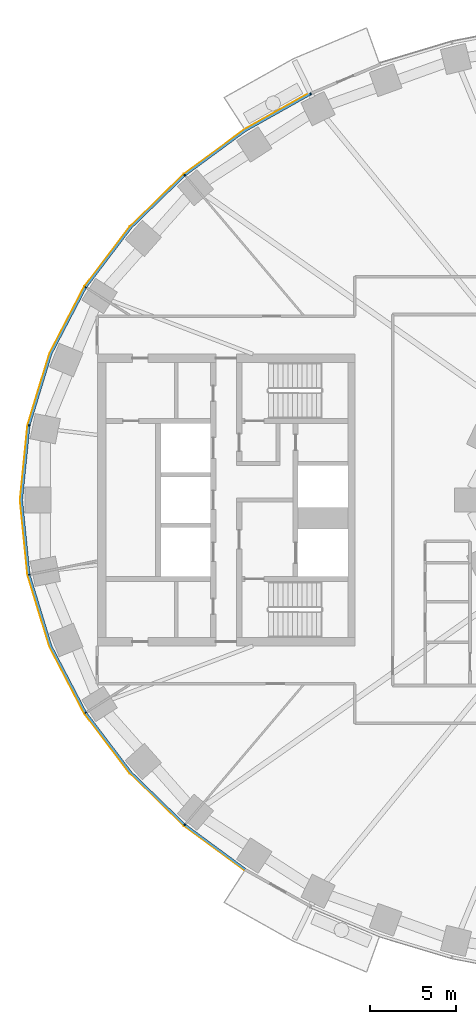
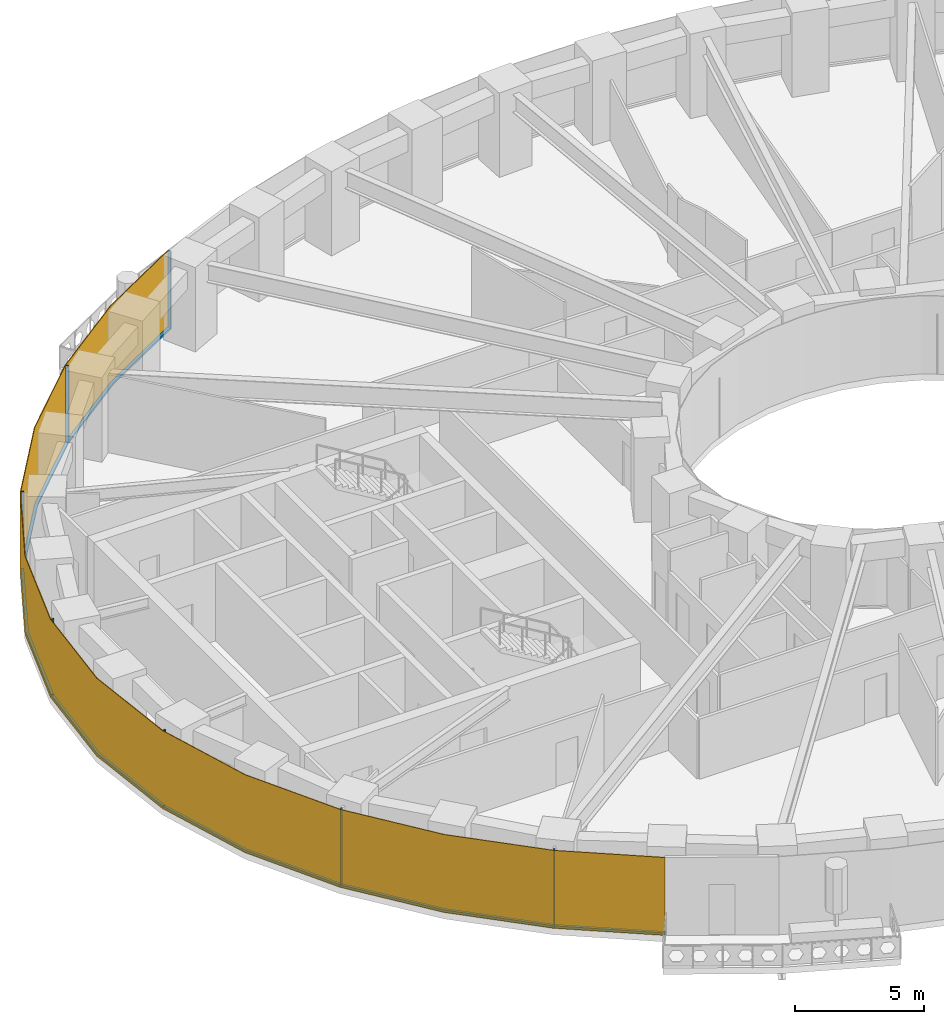
# One storey, part 8 of 15: 14 members, 1 curtain wall.
"""IFC4 building model written with IfcOpenShell, lengths in metres."""

from ifc_helpers import new_model, si_unit, direction, frame, origin, origin_2d, place, context, subcontext, project, spatial, polyline, rectangle, outline, extrude, material, layer, layer_set, material_profile, profile_set, type_object, element, aggregate, save


model = new_model("IFC4")

# Units and contexts
model_context = context("Model", 3, precision=1e-05, world=origin(), true_north=direction((0.0, 1.0)))
body_context = subcontext(model_context, "Body", "Model", "MODEL_VIEW")
ifc_project = project(units=[si_unit("LENGTHUNIT", "METRE"), si_unit("AREAUNIT", "SQUARE_METRE"), si_unit("VOLUMEUNIT", "CUBIC_METRE"), si_unit("PLANEANGLEUNIT", "RADIAN"), si_unit("MASSUNIT", "GRAM", prefix="KILO")], contexts=[model_context])

# Member
ifc_material_1 = material(Name="Aluminium 6063-T6 black anodised", Category="aluminium")
ifc_material_profile = material_profile(ifc_material_1, rectangle(XDim=0.1201171875, YDim=0.06005859375, at=origin_2d()), Name="120x60")
ifc_profile_set = profile_set([ifc_material_profile], Name="Aluminium 6063-T6 black anodised")
member_type_1 = type_object("IfcMemberType", Name="ENV-MULLION-A-120", PredefinedType="MULLION", material=ifc_profile_set)
site_placement = place(None, origin())
building_placement = place(site_placement, origin())
storey_placement = place(building_placement, frame((0.0, 0.0, 38.5)))
member_1_placement = place(storey_placement, frame((-19.06787109375, 23.6474609375, 0.0), z_axis=(0.0, 0.0, 1.0), x_axis=(0.439237769837, -0.898370848563, 0.0)))
member_1 = element("IfcMember", 1, at=member_1_placement, type_object=member_type_1, Name="Mullion A radial 17", PredefinedType="MULLION", context=body_context, shape_type="SweptSolid", body=[
    extrude(rectangle(XDim=0.1201171875, YDim=0.06005859375, at=origin_2d()), origin(), (0.0, 0.0, 1.0), 3.699951171875),
])

member_2_placement = place(storey_placement, frame((-26.403564453125, 18.9130859375, 0.0), z_axis=(0.0, 0.0, 1.0), x_axis=(0.646451313783, -0.762955240435, 0.0)))
member_2 = element("IfcMember", 2, at=member_2_placement, type_object=member_type_1, Name="Mullion A radial 19", PredefinedType="MULLION", context=body_context, shape_type="SweptSolid", body=[
    extrude(rectangle(XDim=0.1201171875, YDim=0.06005859375, at=origin_2d()), origin(), (0.0, 0.0, 1.0), 3.699951171875),
])

member_3_placement = place(storey_placement, frame((-32.177490234375, 12.385498046875, 0.0), z_axis=(0.0, 0.0, 1.0), x_axis=(0.844829880882, -0.53503501976, 0.0)))
member_3 = element("IfcMember", 3, at=member_3_placement, type_object=member_type_1, Name="Mullion A radial 21", PredefinedType="MULLION", context=body_context, shape_type="SweptSolid", body=[
    extrude(rectangle(XDim=0.1201171875, YDim=0.06005859375, at=origin_2d()), origin(), (0.0, 0.0, 1.0), 3.699951171875),
])

member_4_placement = place(storey_placement, frame((-35.470947265625, 4.340576171875, 0.0), z_axis=(0.0, 0.0, 1.0), x_axis=(0.980379083141, -0.19712141776, 0.0)))
member_4 = element("IfcMember", 4, at=member_4_placement, type_object=member_type_1, Name="Mullion A radial 23", PredefinedType="MULLION", context=body_context, shape_type="SweptSolid", body=[
    extrude(rectangle(XDim=0.1201171875, YDim=0.06005859375, at=origin_2d()), origin(), (0.0, 0.0, 1.0), 3.699951171875),
])

member_5_placement = place(storey_placement, frame((-35.470947265625, -4.340576171875, 0.0), z_axis=(0.0, 0.0, 1.0), x_axis=(0.980379083141, 0.19712141776, 0.0)))
member_5 = element("IfcMember", 5, at=member_5_placement, type_object=member_type_1, Name="Mullion A radial 25", PredefinedType="MULLION", context=body_context, shape_type="SweptSolid", body=[
    extrude(rectangle(XDim=0.1201171875, YDim=0.06005859375, at=origin_2d()), origin(), (0.0, 0.0, 1.0), 3.699951171875),
])

member_6_placement = place(storey_placement, frame((-32.177490234375, -12.385498046875, 0.0), z_axis=(0.0, 0.0, 1.0), x_axis=(0.844829880882, 0.53503501976, 0.0)))
member_6 = element("IfcMember", 6, at=member_6_placement, type_object=member_type_1, Name="Mullion A radial 27", PredefinedType="MULLION", context=body_context, shape_type="SweptSolid", body=[
    extrude(rectangle(XDim=0.1201171875, YDim=0.06005859375, at=origin_2d()), origin(), (0.0, 0.0, 1.0), 3.699951171875),
])

member_7_placement = place(storey_placement, frame((-26.403564453125, -18.9130859375, 0.0), z_axis=(0.0, 0.0, 1.0), x_axis=(0.646451313783, 0.762955240435, 0.0)))
member_7 = element("IfcMember", 7, at=member_7_placement, type_object=member_type_1, Name="Mullion A radial 29", PredefinedType="MULLION", context=body_context, shape_type="SweptSolid", body=[
    extrude(rectangle(XDim=0.1201171875, YDim=0.06005859375, at=origin_2d()), origin(), (0.0, 0.0, 1.0), 3.699951171875),
])

ifc_material_2 = material(Name="Aluminium 6063-T6 black anodised", Category="aluminium")
member_type_2 = type_object("IfcMemberType", Name="ENV-TRANSOM-A", PredefinedType="USERDEFINED", material=ifc_material_2)
member_8_placement = place(storey_placement, origin())
member_8 = element("IfcMember", 8, at=member_8_placement, type_object=member_type_2, Name="Transom A radial 17-19", ObjectType="TRANSOM", PredefinedType="USERDEFINED", context=body_context, shape_type="SweptSolid", body=[
    extrude(outline(polyline([(-19.11865234375, 23.687744140625), (-22.9150390625, 21.556884765625), (-26.419921875, 18.975341796875), (-26.342041015625, 18.883544921875), (-22.85009765625, 21.455810546875), (-19.06591796875, 23.57958984375), (-19.11865234375, 23.687744140625)])), origin(), (0.0, 0.0, 1.0), 0.10009765625),
])

member_9_placement = place(storey_placement, origin())
member_9 = element("IfcMember", 9, at=member_9_placement, type_object=member_type_2, Name="Transom A radial 19-21", ObjectType="TRANSOM", PredefinedType="USERDEFINED", context=body_context, shape_type="SweptSolid", body=[
    extrude(outline(polyline([(-26.46240234375, 18.939208984375), (-29.58349609375, 15.906982421875), (-32.211181640625, 12.43994140625), (-32.109375, 12.37548828125), (-29.493408203125, 15.8271484375), (-26.384765625, 18.847412109375), (-26.46240234375, 18.939208984375)])), origin(), (0.0, 0.0, 1.0), 0.10009765625),
])

member_10_placement = place(storey_placement, origin())
member_10 = element("IfcMember", 10, at=member_10_placement, type_object=member_type_2, Name="Transom A radial 21-23", ObjectType="TRANSOM", PredefinedType="USERDEFINED", context=body_context, shape_type="SweptSolid", body=[
    extrude(outline(polyline([(-32.240966796875, 12.392578125), (-34.251220703125, 8.53662109375), (-35.521484375, 4.379150390625), (-35.4033203125, 4.355224609375), (-34.139892578125, 8.490966796875), (-32.139404296875, 12.328369140625), (-32.240966796875, 12.392578125)])), origin(), (0.0, 0.0, 1.0), 0.10009765625),
])

member_11_placement = place(storey_placement, origin())
member_11 = element("IfcMember", 11, at=member_11_placement, type_object=member_type_2, Name="Transom A radial 23-25", ObjectType="TRANSOM", PredefinedType="USERDEFINED", context=body_context, shape_type="SweptSolid", body=[
    extrude(outline(polyline([(-35.532470703125, 4.324462890625), (-35.9677734375, 0.0), (-35.532470703125, -4.324462890625), (-35.414306640625, -4.30078125), (-35.84716796875, 0.0), (-35.414306640625, 4.30078125), (-35.532470703125, 4.324462890625)])), origin(), (0.0, 0.0, 1.0), 0.10009765625),
])

member_12_placement = place(storey_placement, origin())
member_12 = element("IfcMember", 12, at=member_12_placement, type_object=member_type_2, Name="Transom A radial 25-27", ObjectType="TRANSOM", PredefinedType="USERDEFINED", context=body_context, shape_type="SweptSolid", body=[
    extrude(outline(polyline([(-35.521484375, -4.379150390625), (-34.251220703125, -8.53662109375), (-32.240966796875, -12.392578125), (-32.139404296875, -12.328369140625), (-34.139892578125, -8.490966796875), (-35.4033203125, -4.355224609375), (-35.521484375, -4.379150390625)])), origin(), (0.0, 0.0, 1.0), 0.10009765625),
])

member_13_placement = place(storey_placement, origin())
member_13 = element("IfcMember", 13, at=member_13_placement, type_object=member_type_2, Name="Transom A radial 27-29", ObjectType="TRANSOM", PredefinedType="USERDEFINED", context=body_context, shape_type="SweptSolid", body=[
    extrude(outline(polyline([(-32.211181640625, -12.43994140625), (-29.58349609375, -15.906982421875), (-26.46240234375, -18.939208984375), (-26.384765625, -18.847412109375), (-29.493408203125, -15.8271484375), (-32.109375, -12.37548828125), (-32.211181640625, -12.43994140625)])), origin(), (0.0, 0.0, 1.0), 0.10009765625),
])

member_14_placement = place(storey_placement, origin())
member_14 = element("IfcMember", 14, at=member_14_placement, type_object=member_type_2, Name="Transom A radial 29-30", ObjectType="TRANSOM", PredefinedType="USERDEFINED", context=body_context, shape_type="SweptSolid", body=[
    extrude(outline(polyline([(-26.419921875, -18.975341796875), (-22.931396484375, -21.544921875), (-22.8662109375, -21.444091796875), (-26.342041015625, -18.883544921875), (-26.419921875, -18.975341796875)])), origin(), (0.0, 0.0, 1.0), 0.10009765625),
])

# Site, building, storey
site = spatial("IfcSite", under=ifc_project, at=site_placement, CompositionType="ELEMENT")
building = spatial("IfcBuilding", under=site, at=building_placement, Name="Noorbagh Ring Tower", CompositionType="ELEMENT")
storey = spatial("IfcBuildingStorey", under=building, at=storey_placement, Name="L07", CompositionType="ELEMENT", Elevation=38.5)

# Curtain wall
ifc_material_3 = material(Name="Glass dark tinted laminated", Category="glass")
ifc_layer = layer(ifc_material_3, 0.031982421875)
ifc_layer_set = layer_set([ifc_layer], Name="Glass dark tinted laminated")
curtain_wall_type = type_object("IfcCurtainWallType", Name="ENV-CW-A", PredefinedType="NOTDEFINED", material=ifc_layer_set)
curtain_wall_placement = place(storey_placement, origin())
curtain_wall = element("IfcCurtainWall", 15, at=curtain_wall_placement, inside=storey, type_object=curtain_wall_type, Name="Curtain wall A R17", PredefinedType="NOTDEFINED", context=body_context, shape_type="SweptSolid", body=[
    extrude(outline(polyline([(-19.125732421875, 23.720458984375), (-22.9326171875, 21.583740234375), (-26.463134765625, 18.9833984375), (-29.607666015625, 15.927978515625), (-32.255126953125, 12.434814453125), (-34.281005859375, 8.548828125), (-35.561279296875, 4.358642578125), (-36.0, 0.0), (-35.561279296875, -4.358642578125), (-34.281005859375, -8.548828125), (-32.255126953125, -12.434814453125), (-29.607666015625, -15.927978515625), (-26.463134765625, -18.9833984375), (-22.948486328125, -21.572021484375), (-22.931396484375, -21.544921875), (-26.4423828125, -18.958740234375), (-29.58349609375, -15.906982421875), (-32.22802734375, -12.41748046875), (-34.251220703125, -8.53662109375), (-35.529541015625, -4.352294921875), (-35.9677734375, 0.0), (-35.529541015625, 4.352294921875), (-34.251220703125, 8.53662109375), (-32.22802734375, 12.41748046875), (-29.58349609375, 15.906982421875), (-26.4423828125, 18.958740234375), (-22.9150390625, 21.556884765625), (-19.111572265625, 23.691650390625), (-19.125732421875, 23.720458984375)])), origin(), (0.0, 0.0, 1.0), 3.699951171875),
])

aggregate(curtain_wall, [member_1, member_2, member_3, member_4, member_5, member_6, member_7, member_8, member_9, member_10, member_11, member_12, member_13, member_14])

save(model, "model.ifc")
